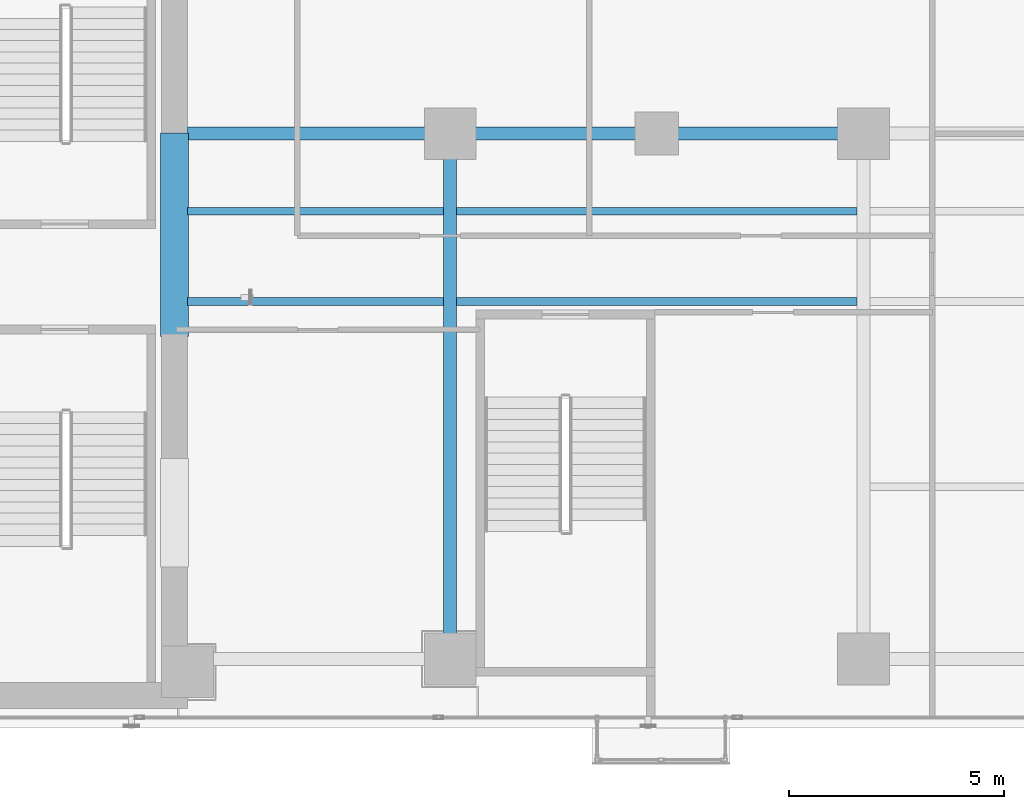
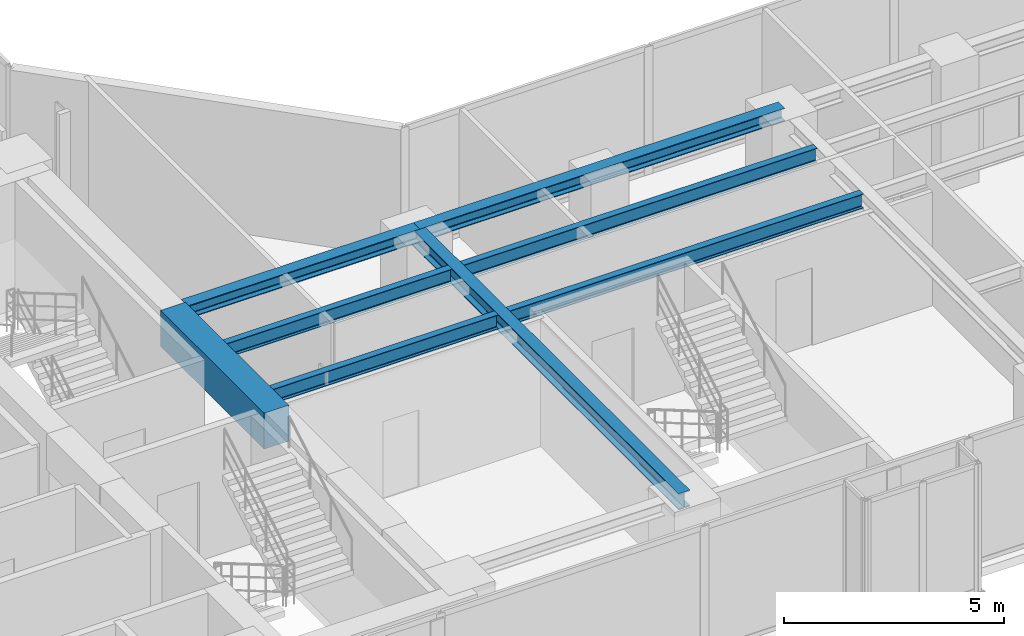
# One storey, part 5 of 24: 8 beams.
"""IFC4 building model written with IfcOpenShell, lengths in metres."""

from ifc_helpers import new_model, si_unit, direction, frame, origin, origin_2d, place, context, subcontext, project, spatial, rectangle, i_section, extrude, material, material_profile, profile_set, type_object, element, save


model = new_model("IFC4")

# Units and contexts
model_context = context("Model", 3, precision=1e-05, world=origin(), true_north=direction((0.0, 1.0)))
body_context = subcontext(model_context, "Body", "Model", "MODEL_VIEW")
ifc_project = project(units=[si_unit("LENGTHUNIT", "METRE"), si_unit("AREAUNIT", "SQUARE_METRE"), si_unit("VOLUMEUNIT", "CUBIC_METRE"), si_unit("PLANEANGLEUNIT", "RADIAN"), si_unit("MASSUNIT", "GRAM", prefix="KILO")], contexts=[model_context])

# Site, building, storey
site_placement = place(None, origin())
site = spatial("IfcSite", under=ifc_project, at=site_placement, CompositionType="ELEMENT")
building_placement = place(site_placement, origin())
building = spatial("IfcBuilding", under=site, at=building_placement, Name="Kolvaren Waterfront Exchange", CompositionType="ELEMENT")
storey_placement = place(building_placement, frame((0.0, 0.0, 172.800048828125)))
storey = spatial("IfcBuildingStorey", under=building, at=storey_placement, Name="L44", CompositionType="ELEMENT", Elevation=172.800048828125)

# Beams
ifc_material_1 = material(Name="Steel S355", Category="steel")
ifc_material_profile_1 = material_profile(ifc_material_1, i_section(OverallWidth=0.300048828125, OverallDepth=0.360107421875, WebThickness=0.012451171875, FlangeThickness=0.0224609375, FilletRadius=0.027099609375, at=origin_2d()), Name="HEB360")
ifc_profile_set_1 = profile_set([ifc_material_profile_1], Name="Steel S355")
beam_type_1 = type_object("IfcBeamType", Name="STR-BM-HEB360", PredefinedType="SPANDREL", material=ifc_profile_set_1)
beam_1_placement = place(storey_placement, frame((21.10009765625, 17.39990234375, 3.3798828125), z_axis=(1.0, 0.0, 0.0), x_axis=(0.0, 1.0, 0.0)))
element("IfcBeam", 1, at=beam_1_placement, inside=storey, type_object=beam_type_1, Name="L44 east-arm spandrel N1", PredefinedType="SPANDREL", context=body_context, shape_type="SweptSolid", body=[
    extrude(i_section(OverallWidth=0.300048828125, OverallDepth=0.360107421875, WebThickness=0.012451171875, FlangeThickness=0.0224609375, FilletRadius=0.027099609375, at=origin_2d()), origin(), (0.0, 0.0, 1.0), 6.099853515625),
])
beam_2_placement = place(storey_placement, frame((27.199951171875, 17.39990234375, 3.3798828125), z_axis=(1.0, 0.0, 0.0), x_axis=(0.0, 1.0, 0.0)))
element("IfcBeam", 2, at=beam_2_placement, inside=storey, type_object=beam_type_1, Name="L44 east-arm spandrel N2", PredefinedType="SPANDREL", context=body_context, shape_type="SweptSolid", body=[
    extrude(i_section(OverallWidth=0.300048828125, OverallDepth=0.360107421875, WebThickness=0.012451171875, FlangeThickness=0.0224609375, FilletRadius=0.027099609375, at=origin_2d()), origin(), (0.0, 0.0, 1.0), 9.60009765625),
])
ifc_material_profile_2 = material_profile(ifc_material_1, i_section(OverallWidth=0.300048828125, OverallDepth=0.449951171875, WebThickness=0.013916015625, FlangeThickness=0.02587890625, FilletRadius=0.027099609375, at=origin_2d()), Name="HEB450")
ifc_profile_set_2 = profile_set([ifc_material_profile_2], Name="Steel S355")
beam_type_2 = type_object("IfcBeamType", Name="STR-BM-HEB450", PredefinedType="BEAM", material=ifc_profile_set_2)
beam_3_placement = place(storey_placement, frame((27.199951171875, 5.199951171875, 3.3349609375), z_axis=(0.0, 1.0, 0.0), x_axis=(-1.0, 0.0, 0.0)))
element("IfcBeam", 3, at=beam_3_placement, inside=storey, type_object=beam_type_2, Name="L44 east-arm transverse girder X27", PredefinedType="BEAM", context=body_context, shape_type="SweptSolid", body=[
    extrude(i_section(OverallWidth=0.300048828125, OverallDepth=0.449951171875, WebThickness=0.013916015625, FlangeThickness=0.02587890625, FilletRadius=0.027099609375, at=origin_2d()), origin(), (0.0, 0.0, 1.0), 12.199951171875),
])
ifc_material_profile_3 = material_profile(ifc_material_1, i_section(OverallWidth=0.179931640625, OverallDepth=0.39990234375, WebThickness=0.008544921875, FlangeThickness=0.013427734375, FilletRadius=0.02099609375, at=origin_2d()), Name="IPE400")
ifc_profile_set_3 = profile_set([ifc_material_profile_3], Name="Steel S355")
beam_type_3 = type_object("IfcBeamType", Name="STR-BM-IPE400", PredefinedType="JOIST", material=ifc_profile_set_3)
for number, where, z_axis, x_axis, name in (
    (4, (21.10009765625, 13.5, 3.35986328125), (1.0, 0.0, 0.0), (0.0, 1.0, 0.0), "L44 east-arm composite joist 1A"),
    (5, (21.10009765625, 15.60009765625, 3.35986328125), (1.0, 0.0, 0.0), (0.0, 1.0, 0.0), "L44 east-arm composite joist 1C"),
):
    element("IfcBeam", number, at=place(storey_placement, frame(where, z_axis=z_axis, x_axis=x_axis)), inside=storey, type_object=beam_type_3, Name=name, PredefinedType="JOIST", context=body_context, shape_type="SweptSolid", body=[
        extrude(i_section(OverallWidth=0.179931640625, OverallDepth=0.39990234375, WebThickness=0.008544921875, FlangeThickness=0.013427734375, FilletRadius=0.02099609375, at=origin_2d()), origin(), (0.0, 0.0, 1.0), 5.947998046875),
    ])
for number, where, z_axis, x_axis, name in (
    (6, (27.35205078125, 13.5, 3.35986328125), (1.0, 0.0, 0.0), (0.0, 1.0, 0.0), "L44 east-arm composite joist 2A"),
    (7, (27.35205078125, 15.60009765625, 3.35986328125), (1.0, 0.0, 0.0), (0.0, 1.0, 0.0), "L44 east-arm composite joist 2C"),
):
    element("IfcBeam", number, at=place(storey_placement, frame(where, z_axis=z_axis, x_axis=x_axis)), inside=storey, type_object=beam_type_3, Name=name, PredefinedType="JOIST", context=body_context, shape_type="SweptSolid", body=[
        extrude(i_section(OverallWidth=0.179931640625, OverallDepth=0.39990234375, WebThickness=0.008544921875, FlangeThickness=0.013427734375, FilletRadius=0.02099609375, at=origin_2d()), origin(), (0.0, 0.0, 1.0), 9.2958984375),
    ])
ifc_material_2 = material(Name="Concrete C60/75", Category="concrete")
ifc_material_profile_4 = material_profile(ifc_material_2, rectangle(XDim=0.64990234375, YDim=1.0, at=origin_2d()), Name="RC-CB-1000x650")
ifc_profile_set_4 = profile_set([ifc_material_profile_4], Name="Concrete C60/75")
beam_type_4 = type_object("IfcBeamType", Name="STR-CB-1000", PredefinedType="SPANDREL", material=ifc_profile_set_4)
beam_4_placement = place(storey_placement, frame((20.800048828125, 12.68994140625, 3.06005859375), z_axis=(0.0, 1.0, 0.0), x_axis=(-1.0, 0.0, 0.0)))
element("IfcBeam", 8, at=beam_4_placement, inside=storey, type_object=beam_type_4, Name="L44 core coupling beam 2", PredefinedType="SPANDREL", context=body_context, shape_type="SweptSolid", body=[
    extrude(rectangle(XDim=0.64990234375, YDim=1.0, at=origin_2d()), origin(), (0.0, 0.0, 1.0), 4.719970703125),
])

save(model, "model.ifc")
